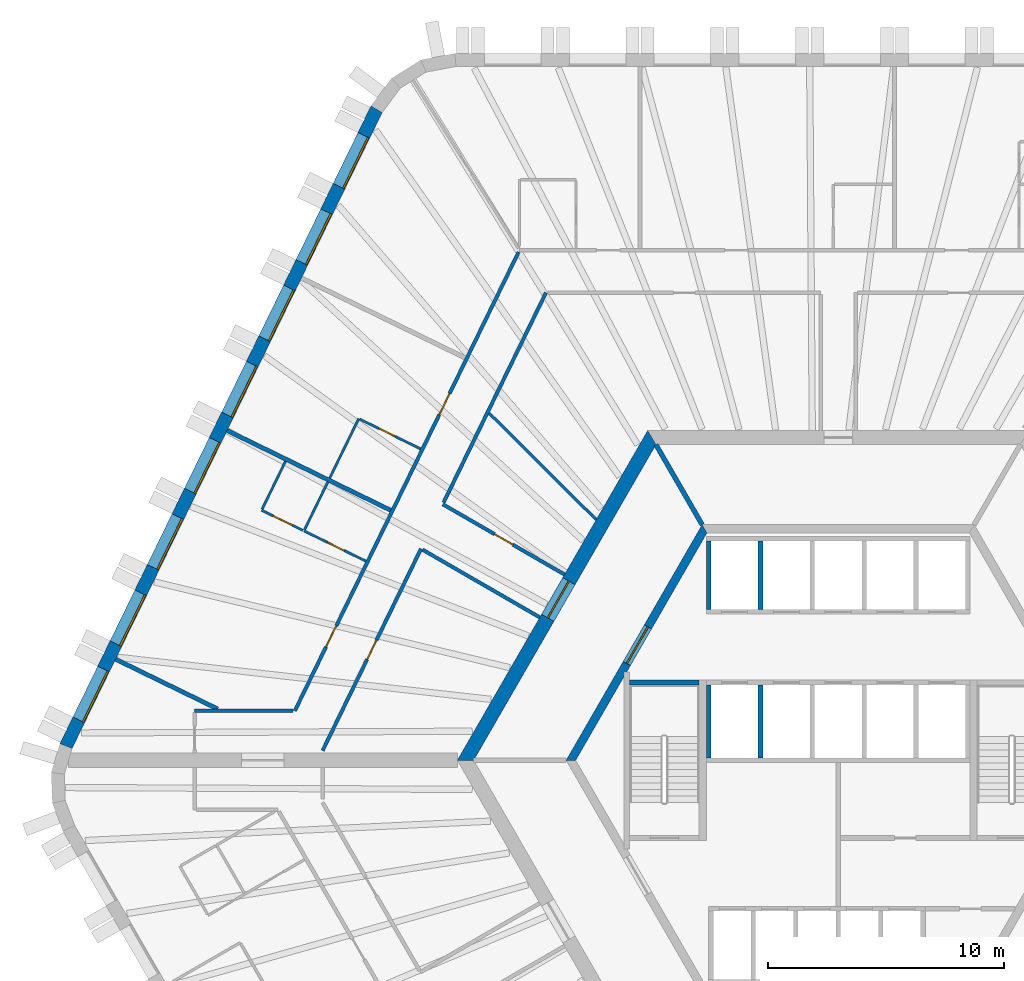
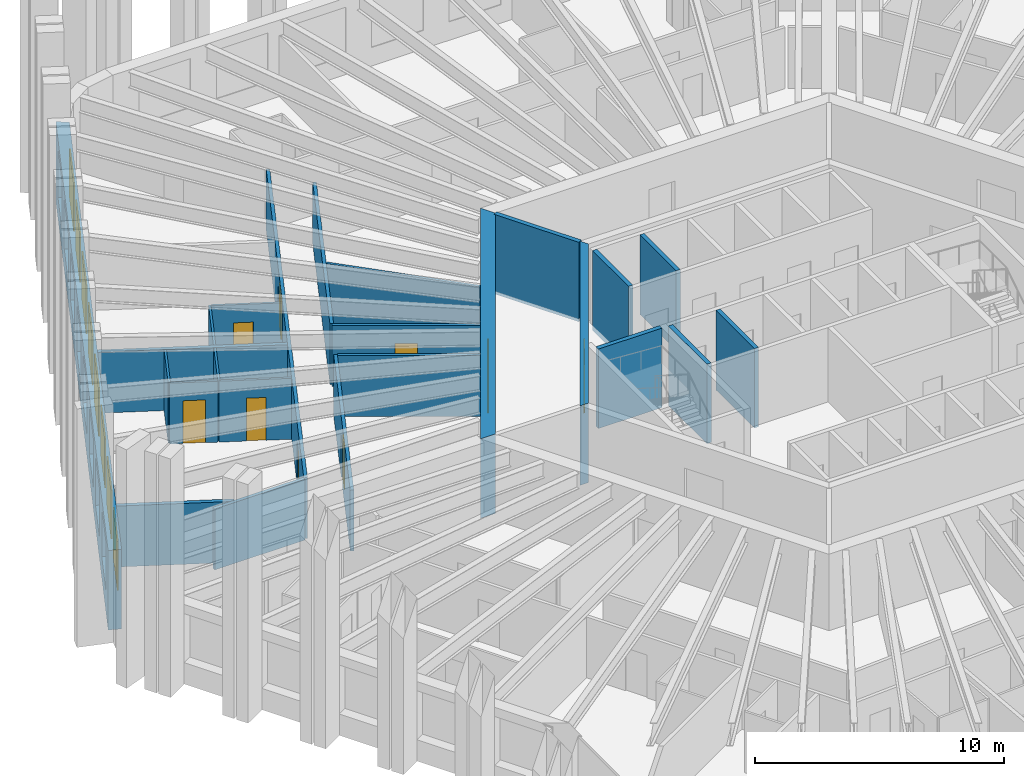
# One storey, part 7 of 13: 24 walls, 9 doors, 8 windows, 17 openings.
"""IFC4 building model written with IfcOpenShell, lengths in metres."""

import ifcopenshell
import ifcopenshell.guid

model = None  # the IFC model being written
_history = None  # IfcOwnerHistory: only IFC2X3 demands one
_inside = {}  # id of a spatial element -> (the spatial element, [elements in it])
_under = {}  # id of a project, library or spatial element -> (it, [spatial elements below it])
_declared = {}  # id of a project -> (the project, [libraries it declares])
_typed = {}  # id of a type object -> (the type object, [elements of that type])
_made_of = {}  # id of a material, layer set ... -> (it, [elements and type objects made of it])


def new_model(schema):
    """Start an empty IFC model of exactly this schema.

    Asked for "IFC4X3", IfcOpenShell would pick the latest addendum, in which some entities
    have other attributes; the version numbers below select the first issue.
    IFC2X3 requires an IfcOwnerHistory on every rooted entity: one is made here for all.
    """
    global model, _history
    if schema == "IFC4X3":
        model = ifcopenshell.file(schema_version=(4, 3, 0, 0))
    else:
        model = ifcopenshell.file(schema=schema)
    _inside.clear()
    _under.clear()
    _declared.clear()
    _typed.clear()
    _made_of.clear()
    _history = None
    if model.schema == "IFC2X3":
        org = make("IfcOrganization", Name="unknown")
        user = make(
            "IfcPersonAndOrganization",
            ThePerson=make("IfcPerson", FamilyName="unknown"),
            TheOrganization=org,
        )
        app = make(
            "IfcApplication",
            ApplicationDeveloper=org,
            Version="unknown",
            ApplicationFullName="unknown",
            ApplicationIdentifier="unknown",
        )
        _history = make(
            "IfcOwnerHistory",
            OwningUser=user,
            OwningApplication=app,
            ChangeAction="ADDED",
            CreationDate=0,
        )
    return model


def make(cls, **values):
    """One entity of the class cls with the attributes given. An attribute that is None is left unset."""
    return model.create_entity(
        cls, **{name: value for name, value in values.items() if value is not None}
    )


def rooted(cls, **values):
    """An entity with a GlobalId (a new one), such as an element, a storey or a relation."""
    return make(cls, GlobalId=ifcopenshell.guid.new(), OwnerHistory=_history, **values)


def si_unit(unit_type, name, prefix=None):
    """IfcSIUnit, for example si_unit("LENGTHUNIT", "METRE", prefix="MILLI")."""
    return make("IfcSIUnit", UnitType=unit_type, Prefix=prefix, Name=name)


def assignment(units):
    """IfcUnitAssignment: the units of a project."""
    return None if units is None else make("IfcUnitAssignment", Units=units)


def point(xyz):
    """IfcCartesianPoint."""
    return None if xyz is None else make("IfcCartesianPoint", Coordinates=xyz)


def direction(xyz):
    """IfcDirection."""
    return None if xyz is None else make("IfcDirection", DirectionRatios=xyz)


def frame(location, z_axis=None, x_axis=None):
    """IfcAxis2Placement3D, a coordinate frame: its origin and axes. An axis left out is left unset."""
    return make(
        "IfcAxis2Placement3D",
        Location=point(location),
        Axis=direction(z_axis),
        RefDirection=direction(x_axis),
    )


def frame_2d(location, x_axis=None):
    """IfcAxis2Placement2D, a coordinate frame in the plane: its origin and x axis."""
    return make(
        "IfcAxis2Placement2D", Location=point(location), RefDirection=direction(x_axis)
    )


def origin():
    """The frame at (0, 0, 0) with its axes left unset."""
    return frame((0.0, 0.0, 0.0))


def place(relative_to, where):
    """IfcLocalPlacement: puts the frame where relative to a parent placement (None: the world)."""
    return make(
        "IfcLocalPlacement", PlacementRelTo=relative_to, RelativePlacement=where
    )


def context(
    kind, dimensions, precision=None, world=None, true_north=None, identifier=None
):
    """IfcGeometricRepresentationContext, for example the 3D "Model" context."""
    return make(
        "IfcGeometricRepresentationContext",
        ContextIdentifier=identifier,
        ContextType=kind,
        CoordinateSpaceDimension=dimensions,
        Precision=precision,
        WorldCoordinateSystem=world,
        TrueNorth=true_north,
    )


def subcontext(parent, identifier, kind, view, scale=None):
    """IfcGeometricRepresentationSubContext, for example "Body" below "Model"."""
    return make(
        "IfcGeometricRepresentationSubContext",
        ContextIdentifier=identifier,
        ContextType=kind,
        ParentContext=parent,
        TargetScale=scale,
        TargetView=view,
    )


def project(units=None, contexts=None):
    """IfcProject with its units and contexts."""
    return rooted(
        "IfcProject",
        Name="project",
        RepresentationContexts=contexts,
        UnitsInContext=assignment(units),
    )


def spatial(cls, under=None, at=None, **own):
    """A site, building, storey or space (cls), placed at a placement, below another one or the project."""
    s = rooted(cls, ObjectPlacement=at, **own)
    if under is not None:
        _under.setdefault(under.id(), (under, []))[1].append(s)
    return s


def polyline(points):
    """IfcPolyline through the points."""
    return make("IfcPolyline", Points=[point(p) for p in points])


def profile(cls, at=None, kind="AREA", **sizes):
    """A parametric profile (cls). Its sizes go by their IFC names, for example OverallWidth=200.0."""
    return make(cls, ProfileType=kind, Position=at, **sizes)


def rectangle(**sizes):
    """IfcRectangleProfileDef."""
    return profile("IfcRectangleProfileDef", **sizes)


def outline(outer, holes=None, kind="AREA"):
    """IfcArbitraryClosedProfileDef: a profile drawn as a closed curve; with holes, ...WithVoids."""
    if holes is None:
        return make("IfcArbitraryClosedProfileDef", ProfileType=kind, OuterCurve=outer)
    return make(
        "IfcArbitraryProfileDefWithVoids",
        ProfileType=kind,
        OuterCurve=outer,
        InnerCurves=holes,
    )


def extrude(swept, where, along, depth):
    """IfcExtrudedAreaSolid: the profile swept, set in the frame where, extruded along a direction by depth."""
    return make(
        "IfcExtrudedAreaSolid",
        SweptArea=swept,
        Position=where,
        ExtrudedDirection=direction(along),
        Depth=depth,
    )


def shape(context_of_items, identifier, shape_type, items):
    """IfcShapeRepresentation: the items that make up one representation, for example the "Body"."""
    return make(
        "IfcShapeRepresentation",
        ContextOfItems=context_of_items,
        RepresentationIdentifier=identifier,
        RepresentationType=shape_type,
        Items=items,
    )


def material(Name=None, Category=None):
    """IfcMaterial."""
    return make("IfcMaterial", Name=Name, Category=Category)


def layer(
    of_material, thickness, ventilated=None, Name=None, Category=None, Priority=None
):
    """IfcMaterialLayer: one layer of a wall or slab, of a material (None: an air gap)."""
    return make(
        "IfcMaterialLayer",
        Material=of_material,
        LayerThickness=thickness,
        IsVentilated=ventilated,
        Name=Name,
        Category=Category,
        Priority=Priority,
    )


def layer_set(layers, Name=None):
    """IfcMaterialLayerSet."""
    return make("IfcMaterialLayerSet", MaterialLayers=layers, LayerSetName=Name)


def made_of(thing, what):
    """Note that an element or type object is made of a material, layer set ...; save() writes the relation."""
    if what is not None:
        _made_of.setdefault(what.id(), (what, []))[1].append(thing)
    return thing


def type_object(cls, material=None, **own):
    """A type object (cls), such as IfcWallType, which elements share."""
    return made_of(rooted(cls, **own), material)


def element(
    cls,
    number,
    at=None,
    inside=None,
    cuts=None,
    type_object=None,
    material=None,
    context=None,
    identifier="Body",
    shape_type=None,
    held_by="IfcProductDefinitionShape",
    body=None,
    shapes=None,
    **own,
):
    """One element of the class cls, such as IfcWall. Its Tag is "e" and its number.

    at: its placement. inside: the storey or other place that contains it. cuts: it is an
    opening in that element (IfcRelVoidsElement). A single representation is given by context,
    identifier, shape_type and body (its items); several are given by shapes. held_by: the class
    of the entity that holds the representations. save() writes the other relations.
    """
    e = rooted(cls, Tag="e%d" % number, ObjectPlacement=at, **own)
    if body is not None:
        shapes = [shape(context, identifier, shape_type, body)]
    if shapes is not None:
        e.Representation = make(held_by, Representations=shapes)
    if inside is not None:
        _inside.setdefault(inside.id(), (inside, []))[1].append(e)
    if cuts is not None:
        rooted(
            "IfcRelVoidsElement", RelatingBuildingElement=cuts, RelatedOpeningElement=e
        )
    if type_object is not None:
        _typed.setdefault(type_object.id(), (type_object, []))[1].append(e)
    return made_of(e, material)


def fill(opening, filler):
    """IfcRelFillsElement: the door or window that sits in an opening."""
    return rooted(
        "IfcRelFillsElement",
        RelatingOpeningElement=opening,
        RelatedBuildingElement=filler,
    )


def aggregate(whole, parts):
    """IfcRelAggregates: a whole, such as a stair, and the parts it consists of."""
    return rooted("IfcRelAggregates", RelatingObject=whole, RelatedObjects=parts)


def save(model, path):
    """Write the relations noted so far, then the file.

    IfcRelAggregates (storeys below a building ...), IfcRelContainedInSpatialStructure (elements
    in a storey), IfcRelDefinesByType, IfcRelAssociatesMaterial and IfcRelDeclares: one each for
    every whole, place, type object, material and project.
    """
    for whole, parts in _under.values():
        aggregate(whole, parts)
    for where, things in _inside.values():
        rooted(
            "IfcRelContainedInSpatialStructure",
            RelatedElements=things,
            RelatingStructure=where,
        )
    for kind, things in _typed.values():
        rooted("IfcRelDefinesByType", RelatedObjects=things, RelatingType=kind)
    for what, things in _made_of.values():
        rooted("IfcRelAssociatesMaterial", RelatedObjects=things, RelatingMaterial=what)
    for by, libraries in _declared.values():
        rooted("IfcRelDeclares", RelatingContext=by, RelatedDefinitions=libraries)
    model.write(path)


model = new_model("IFC4")

# Units and contexts
model_context = context("Model", 3, precision=1e-05, world=origin(), true_north=direction((0.0, 1.0)))
body_context = subcontext(model_context, "Body", "Model", "MODEL_VIEW")
ifc_project = project(units=[si_unit("LENGTHUNIT", "METRE"), si_unit("AREAUNIT", "SQUARE_METRE"), si_unit("VOLUMEUNIT", "CUBIC_METRE"), si_unit("PLANEANGLEUNIT", "RADIAN"), si_unit("MASSUNIT", "GRAM", prefix="KILO")], contexts=[model_context])

# Site, building, storey
site_placement = place(None, origin())
site = spatial("IfcSite", under=ifc_project, at=site_placement, CompositionType="ELEMENT")
building_placement = place(site_placement, origin())
building = spatial("IfcBuilding", under=site, at=building_placement, Name="Tarnside Tower", CompositionType="ELEMENT")
storey_placement = place(building_placement, frame((0.0, 0.0, 80.39990234375)))
storey = spatial("IfcBuildingStorey", under=building, at=storey_placement, Name="L17", CompositionType="ELEMENT", Elevation=80.39990234375)

# Wall
ifc_material_1 = material(Name="Gypsum board partition on steel studs", Category="steel")
ifc_layer_1 = layer(ifc_material_1, 0.10009765625)
ifc_layer_set_1 = layer_set([ifc_layer_1], Name="Bathroom wall 100")
wall_type_1 = type_object("IfcWallType", Name="Bathroom wall 100", PredefinedType="PARTITIONING", material=ifc_layer_set_1)
wall_1_placement = place(storey_placement, frame((-21.5849609375, 11.975341796875, 0.0), z_axis=(0.0, 0.0, 1.0), x_axis=(0.438399667674, 0.898780135174, 0.0)))
element("IfcWall", 1, at=wall_1_placement, inside=storey, type_object=wall_type_1, Name="Bathroom wall 05095", PredefinedType="PARTITIONING", context=body_context, shape_type="SweptSolid", body=[
    extrude(rectangle(XDim=2.81005859375, YDim=0.10009765625, at=frame_2d((1.405029296875, 0.0))), origin(), (0.0, 0.0, 1.0), 2.98779296875),
])

# Wall, opening, door
wall_2_placement = place(storey_placement, frame((-20.30810546875, 14.47900390625, 0.0), z_axis=(0.0, 0.0, 1.0), x_axis=(0.898799457159, -0.438360052708, 0.0)))
wall_2 = element("IfcWall", 2, at=wall_2_placement, inside=storey, type_object=wall_type_1, Name="Bathroom wall 05096", PredefinedType="PARTITIONING", context=body_context, shape_type="SweptSolid", body=[
    extrude(rectangle(XDim=2.875, YDim=0.10009765625, at=frame_2d((1.4375, 0.0))), origin(), (0.0, 0.0, 1.0), 2.98779296875),
])
opening_1_placement = place(wall_2_placement, frame((0.89990234375, 0.0, 0.0)))
opening_1 = element("IfcOpeningElement", 3, at=opening_1_placement, cuts=wall_2, Name="Opening D-B1", PredefinedType="OPENING", context=body_context, shape_type="SweptSolid", body=[
    extrude(rectangle(XDim=0.800048828125, YDim=2.10009765625, at=frame_2d((0.39990234375, 1.050048828125))), frame((0.0, 0.06005859375, 0.0), z_axis=(0.0, -1.0, 0.0), x_axis=(1.0, 0.0, 0.0)), (0.0, 0.0, 1.0), 0.1201171875),
])
ifc_material_2 = material(Name="Timber door leaf", Category="wood")
door_type_1 = type_object("IfcDoorType", Name="Bathroom door 800", OperationType="NOTDEFINED", PredefinedType="DOOR", material=ifc_material_2)
door_1_placement = place(opening_1_placement, origin())
door_1 = element("IfcDoor", 4, at=door_1_placement, inside=storey, type_object=door_type_1, Name="Bathroom door 05010", OperationType="SINGLE_SWING_RIGHT", OverallHeight=2.10009765625, OverallWidth=0.800048828125, PredefinedType="DOOR", context=body_context, shape_type="SweptSolid", body=[
    extrude(rectangle(XDim=0.800048828125, YDim=2.10009765625, at=frame_2d((0.39990234375, 1.050048828125))), frame((0.0, 0.02490234375, 0.0), z_axis=(0.0, -1.0, 0.0), x_axis=(1.0, 0.0, 0.0)), (0.0, 0.0, 1.0), 0.050048828125),
])
fill(opening_1, door_1)

wall_3_placement = place(storey_placement, frame((-20.04736328125, 8.455078125, 0.0), z_axis=(0.0, 0.0, 1.0), x_axis=(-0.89880694479, 0.438344699976, 0.0)))
wall_3 = element("IfcWall", 5, at=wall_3_placement, inside=storey, type_object=wall_type_1, Name="Bathroom wall 05100", PredefinedType="PARTITIONING", context=body_context, shape_type="SweptSolid", body=[
    extrude(rectangle(XDim=2.925048828125, YDim=0.10009765625, at=frame_2d((1.46240234375, 0.0))), origin(), (0.0, 0.0, 1.0), 2.98779296875),
])
opening_2_placement = place(wall_3_placement, frame((1.02490234375, 0.0, 0.0)))
opening_2 = element("IfcOpeningElement", 6, at=opening_2_placement, cuts=wall_3, Name="Opening D-B1", PredefinedType="OPENING", context=body_context, shape_type="SweptSolid", body=[
    extrude(rectangle(XDim=0.800048828125, YDim=2.10009765625, at=frame_2d((0.39990234375, 1.050048828125))), frame((0.0, 0.06005859375, 0.0), z_axis=(0.0, -1.0, 0.0), x_axis=(1.0, 0.0, 0.0)), (0.0, 0.0, 1.0), 0.1201171875),
])
door_2_placement = place(opening_2_placement, origin())
door_2 = element("IfcDoor", 7, at=door_2_placement, inside=storey, type_object=door_type_1, Name="Bathroom door 05012", OperationType="SINGLE_SWING_RIGHT", OverallHeight=2.10009765625, OverallWidth=0.800048828125, PredefinedType="DOOR", context=body_context, shape_type="SweptSolid", body=[
    extrude(rectangle(XDim=0.800048828125, YDim=2.10009765625, at=frame_2d((0.39990234375, 1.050048828125))), frame((0.0, 0.02490234375, 0.0), z_axis=(0.0, -1.0, 0.0), x_axis=(1.0, 0.0, 0.0)), (0.0, 0.0, 1.0), 0.050048828125),
])
fill(opening_2, door_2)

# Wall
wall_4_placement = place(storey_placement, frame((-21.663818359375, 11.8134765625, 0.0), z_axis=(0.0, 0.0, 1.0), x_axis=(-0.438376807268, -0.898791285477, 0.0)))
element("IfcWall", 8, at=wall_4_placement, inside=storey, type_object=wall_type_1, Name="Bathroom wall 05104", PredefinedType="PARTITIONING", context=body_context, shape_type="SweptSolid", body=[
    extrude(rectangle(XDim=2.260009765625, YDim=0.10009765625, at=frame_2d((1.1298828125, 0.0))), origin(), (0.0, 0.0, 1.0), 2.98779296875),
])

# Wall, opening, door
ifc_material_3 = material(Name="Concrete C50/60", Category="concrete")
ifc_layer_2 = layer(ifc_material_3, 0.35009765625)
ifc_layer_set_2 = layer_set([ifc_layer_2], Name="Core block wall 350 C50/60")
wall_type_2 = type_object("IfcWallType", Name="Core block wall 350 C50/60", PredefinedType="SHEAR", material=ifc_layer_set_2)
wall_5_placement = place(storey_placement, frame((-5.672607421875, 9.824951171875, -0.14990234375), z_axis=(0.0, 0.0, 1.0), x_axis=(-0.499995046907, -0.866028263435, 0.0)))
wall_5 = element("IfcWall", 9, at=wall_5_placement, inside=storey, type_object=wall_type_2, Name="L17 core block wall face 2", PredefinedType="SHEAR", context=body_context, shape_type="SweptSolid", body=[
    extrude(outline(polyline([(-0.10107421875, -0.175048828125), (11.44580078125, -0.175048828125), (11.24365234375, 0.175048828125), (0.10107421875, 0.175048828125), (-0.10107421875, -0.175048828125)])), origin(), (0.0, 0.0, 1.0), 3.89990234375),
])
opening_3_placement = place(wall_5_placement, frame((4.80126953125, 0.0, 0.14990234375)))
opening_3 = element("IfcOpeningElement", 10, at=opening_3_placement, cuts=wall_5, Name="Opening CD-LOB", PredefinedType="OPENING", context=body_context, shape_type="SweptSolid", body=[
    extrude(rectangle(XDim=1.800048828125, YDim=2.39990234375, at=frame_2d((0.89990234375, 1.199951171875))), frame((0.0, 0.18505859375, 0.0), z_axis=(0.0, -1.0, 0.0), x_axis=(1.0, 0.0, 0.0)), (0.0, 0.0, 1.0), 0.3701171875),
])
ifc_material_4 = material(Name="Steel fire door", Category="steel")
door_type_2 = type_object("IfcDoorType", Name="Lobby double door FD30S 1800x2400", OperationType="NOTDEFINED", PredefinedType="DOOR", material=ifc_material_4)
door_3_placement = place(opening_3_placement, origin())
door_3 = element("IfcDoor", 11, at=door_3_placement, inside=storey, type_object=door_type_2, Name="L17 lobby block door P1", OperationType="DOUBLE_DOOR_SINGLE_SWING", OverallHeight=2.39990234375, OverallWidth=1.800048828125, PredefinedType="DOOR", context=body_context, shape_type="SweptSolid", body=[
    extrude(rectangle(XDim=1.800048828125, YDim=2.39990234375, at=frame_2d((0.89990234375, 1.199951171875))), frame((0.0, 0.02490234375, 0.0), z_axis=(0.0, -1.0, 0.0), x_axis=(1.0, 0.0, 0.0)), (0.0, 0.0, 1.0), 0.050048828125),
])
fill(opening_3, door_3)

ifc_material_5 = material(Name="Concrete C80/95", Category="concrete")
ifc_layer_3 = layer(ifc_material_5, 0.60009765625)
ifc_layer_set_3 = layer_set([ifc_layer_3], Name="Core wall Z1 600 C80/95")
wall_type_3 = type_object("IfcWallType", Name="Core wall Z1 600 C80/95", PredefinedType="SHEAR", material=ifc_layer_set_3)
wall_6_placement = place(storey_placement, frame((-7.90966796875, 13.699951171875, -0.14990234375), z_axis=(0.0, 0.0, 1.0), x_axis=(-0.499999880136, -0.866025472988, 0.0)))
wall_6 = element("IfcWall", 12, at=wall_6_placement, inside=storey, type_object=wall_type_3, Name="L17 core wall face 2", PredefinedType="SHEAR", context=body_context, shape_type="SweptSolid", body=[
    extrude(outline(polyline([(-0.17333984375, -0.300048828125), (15.99267578125, -0.300048828125), (15.64599609375, 0.300048828125), (0.17333984375, 0.300048828125), (-0.17333984375, -0.300048828125)])), origin(), (0.0, 0.0, 1.0), 3.89990234375),
])
opening_4_placement = place(wall_6_placement, frame((7.03857421875, 0.0, 0.14990234375)))
opening_4 = element("IfcOpeningElement", 13, at=opening_4_placement, cuts=wall_6, Name="Opening CD-LOB", PredefinedType="OPENING", context=body_context, shape_type="SweptSolid", body=[
    extrude(rectangle(XDim=1.800048828125, YDim=2.39990234375, at=frame_2d((0.89990234375, 1.199951171875))), frame((0.0, 0.31005859375, 0.0), z_axis=(0.0, -1.0, 0.0), x_axis=(1.0, 0.0, 0.0)), (0.0, 0.0, 1.0), 0.6201171875),
])
door_4_placement = place(opening_4_placement, origin())
door_4 = element("IfcDoor", 14, at=door_4_placement, inside=storey, type_object=door_type_2, Name="L17 core door P1", OperationType="DOUBLE_DOOR_SINGLE_SWING", OverallHeight=2.39990234375, OverallWidth=1.800048828125, PredefinedType="DOOR", context=body_context, shape_type="SweptSolid", body=[
    extrude(rectangle(XDim=1.800048828125, YDim=2.39990234375, at=frame_2d((0.89990234375, 1.199951171875))), frame((0.0, 0.02490234375, 0.0), z_axis=(0.0, -1.0, 0.0), x_axis=(1.0, 0.0, 0.0)), (0.0, 0.0, 1.0), 0.050048828125),
])
fill(opening_4, door_4)

# Wall, openings, doors
ifc_layer_4 = layer(ifc_material_1, 0.14990234375)
ifc_layer_set_4 = layer_set([ifc_layer_4], Name="Corridor wall 150 EI 60")
wall_type_4 = type_object("IfcWallType", Name="Corridor wall 150 EI 60", PredefinedType="PARTITIONING", material=ifc_layer_set_4)
wall_7_placement = place(storey_placement, frame((-13.56494140625, 21.574951171875, 0.0), z_axis=(0.0, 0.0, 1.0), x_axis=(-0.438380787243, -0.898789344272, 0.0)))
wall_7 = element("IfcWall", 15, at=wall_7_placement, inside=storey, type_object=wall_type_4, Name="Corridor wall 05009", PredefinedType="PARTITIONING", context=body_context, shape_type="SweptSolid", body=[
    extrude(rectangle(XDim=21.66796875, YDim=0.14990234375, at=frame_2d((10.833984375, 0.0))), origin(), (0.0, 0.0, 1.0), 2.98779296875),
])
opening_5_placement = place(wall_7_placement, frame((6.683837890625, 0.0, 0.0)))
opening_5 = element("IfcOpeningElement", 16, at=opening_5_placement, cuts=wall_7, Name="Opening D-E1", PredefinedType="OPENING", context=body_context, shape_type="SweptSolid", body=[
    extrude(rectangle(XDim=1.0, YDim=2.10009765625, at=frame_2d((0.5, 1.050048828125))), frame((0.0, 0.0849609375, 0.0), z_axis=(0.0, -1.0, 0.0), x_axis=(1.0, 0.0, 0.0)), (0.0, 0.0, 1.0), 0.169921875),
])
opening_6_placement = place(wall_7_placement, frame((17.65087890625, 0.0, 0.0)))
opening_6 = element("IfcOpeningElement", 17, at=opening_6_placement, cuts=wall_7, Name="Opening D-E1", PredefinedType="OPENING", context=body_context, shape_type="SweptSolid", body=[
    extrude(rectangle(XDim=1.0, YDim=2.10009765625, at=frame_2d((0.5, 1.050048828125))), frame((0.0, 0.0849609375, 0.0), z_axis=(0.0, -1.0, 0.0), x_axis=(1.0, 0.0, 0.0)), (0.0, 0.0, 1.0), 0.169921875),
])
door_type_3 = type_object("IfcDoorType", Name="Unit entrance door 1000 FD30S", OperationType="NOTDEFINED", PredefinedType="DOOR", material=ifc_material_2)
door_5_placement = place(opening_5_placement, origin())
door_5 = element("IfcDoor", 18, at=door_5_placement, inside=storey, type_object=door_type_3, Name="Unit door 05009", OperationType="SINGLE_SWING_LEFT", OverallHeight=2.10009765625, OverallWidth=1.0, PredefinedType="DOOR", context=body_context, shape_type="SweptSolid", body=[
    extrude(rectangle(XDim=1.0, YDim=2.10009765625, at=frame_2d((0.5, 1.050048828125))), frame((0.0, 0.02490234375, 0.0), z_axis=(0.0, -1.0, 0.0), x_axis=(1.0, 0.0, 0.0)), (0.0, 0.0, 1.0), 0.050048828125),
])
fill(opening_5, door_5)
door_6_placement = place(opening_6_placement, origin())
door_6 = element("IfcDoor", 19, at=door_6_placement, inside=storey, type_object=door_type_3, Name="Unit door 05011", OperationType="SINGLE_SWING_LEFT", OverallHeight=2.10009765625, OverallWidth=1.0, PredefinedType="DOOR", context=body_context, shape_type="SweptSolid", body=[
    extrude(rectangle(XDim=1.0, YDim=2.10009765625, at=frame_2d((0.5, 1.050048828125))), frame((0.0, 0.02490234375, 0.0), z_axis=(0.0, -1.0, 0.0), x_axis=(1.0, 0.0, 0.0)), (0.0, 0.0, 1.0), 0.050048828125),
])
fill(opening_6, door_6)

# Walls
wall_8_placement = place(storey_placement, frame((-23.14697265625, 2.10009765625, 0.0), z_axis=(0.0, 0.0, 1.0), x_axis=(-1.0, 0.0, 0.0)))
element("IfcWall", 20, at=wall_8_placement, inside=storey, type_object=wall_type_4, Name="Corridor wall 05013", PredefinedType="PARTITIONING", context=body_context, shape_type="SweptSolid", body=[
    extrude(rectangle(XDim=4.17333984375, YDim=0.14990234375, at=frame_2d((2.086669921875, 0.0))), origin(), (0.0, 0.0, 1.0), 2.98779296875),
])
wall_9_placement = place(storey_placement, frame((-16.7509765625, 10.936767578125, 0.0), z_axis=(0.0, 0.0, 1.0), x_axis=(0.438378523504, 0.898790448397, 0.0)))
element("IfcWall", 21, at=wall_9_placement, inside=storey, type_object=wall_type_4, Name="Corridor wall 05017", PredefinedType="PARTITIONING", context=body_context, shape_type="SweptSolid", body=[
    extrude(rectangle(XDim=9.9169921875, YDim=0.14990234375, at=frame_2d((4.95849609375, 0.0))), origin(), (0.0, 0.0, 1.0), 2.98779296875),
])

# Wall, opening, door
wall_10_placement = place(storey_placement, frame((-11.61376953125, 7.88427734375, 0.0), z_axis=(0.0, 0.0, 1.0), x_axis=(-0.86603508376, 0.499983233416, 0.0)))
wall_10 = element("IfcWall", 22, at=wall_10_placement, inside=storey, type_object=wall_type_4, Name="Corridor wall 05020", PredefinedType="PARTITIONING", context=body_context, shape_type="SweptSolid", body=[
    extrude(rectangle(XDim=5.969970703125, YDim=0.14990234375, at=frame_2d((2.98486328125, 0.0))), origin(), (0.0, 0.0, 1.0), 2.98779296875),
])
opening_7_placement = place(wall_10_placement, frame((2.534912109375, 0.0, 0.0)))
opening_7 = element("IfcOpeningElement", 23, at=opening_7_placement, cuts=wall_10, Name="Opening D-S1", PredefinedType="OPENING", context=body_context, shape_type="SweptSolid", body=[
    extrude(rectangle(XDim=0.89990234375, YDim=2.10009765625, at=frame_2d((0.449951171875, 1.050048828125))), frame((0.0, 0.0849609375, 0.0), z_axis=(0.0, -1.0, 0.0), x_axis=(1.0, 0.0, 0.0)), (0.0, 0.0, 1.0), 0.169921875),
])
door_type_4 = type_object("IfcDoorType", Name="Service room door 900 FD30S", OperationType="NOTDEFINED", PredefinedType="DOOR", material=ifc_material_2)
door_7_placement = place(opening_7_placement, origin())
door_7 = element("IfcDoor", 24, at=door_7_placement, inside=storey, type_object=door_type_4, Name="Service door 05042", OperationType="SINGLE_SWING_RIGHT", OverallHeight=2.10009765625, OverallWidth=0.89990234375, PredefinedType="DOOR", context=body_context, shape_type="SweptSolid", body=[
    extrude(rectangle(XDim=0.89990234375, YDim=2.10009765625, at=frame_2d((0.449951171875, 1.050048828125))), frame((0.0, 0.02490234375, 0.0), z_axis=(0.0, -1.0, 0.0), x_axis=(1.0, 0.0, 0.0)), (0.0, 0.0, 1.0), 0.050048828125),
])
fill(opening_7, door_7)

wall_11_placement = place(storey_placement, frame((-21.88525390625, 0.41015625, 0.0), z_axis=(0.0, 0.0, 1.0), x_axis=(0.43837064471, 0.898794291179, 0.0)))
wall_11 = element("IfcWall", 25, at=wall_11_placement, inside=storey, type_object=wall_type_4, Name="Corridor wall 05025", PredefinedType="PARTITIONING", context=body_context, shape_type="SweptSolid", body=[
    extrude(rectangle(XDim=9.53173828125, YDim=0.14990234375, at=frame_2d((4.765869140625, 0.0))), origin(), (0.0, 0.0, 1.0), 2.98779296875),
])
opening_8_placement = place(wall_11_placement, frame((4.31591796875, 0.0, 0.0)))
opening_8 = element("IfcOpeningElement", 26, at=opening_8_placement, cuts=wall_11, Name="Opening D-S1", PredefinedType="OPENING", context=body_context, shape_type="SweptSolid", body=[
    extrude(rectangle(XDim=0.89990234375, YDim=2.10009765625, at=frame_2d((0.449951171875, 1.050048828125))), frame((0.0, 0.0849609375, 0.0), z_axis=(0.0, -1.0, 0.0), x_axis=(1.0, 0.0, 0.0)), (0.0, 0.0, 1.0), 0.169921875),
])
door_8_placement = place(opening_8_placement, origin())
door_8 = element("IfcDoor", 27, at=door_8_placement, inside=storey, type_object=door_type_4, Name="Service door 05044", OperationType="SINGLE_SWING_RIGHT", OverallHeight=2.10009765625, OverallWidth=0.89990234375, PredefinedType="DOOR", context=body_context, shape_type="SweptSolid", body=[
    extrude(rectangle(XDim=0.89990234375, YDim=2.10009765625, at=frame_2d((0.449951171875, 1.050048828125))), frame((0.0, 0.02490234375, 0.0), z_axis=(0.0, -1.0, 0.0), x_axis=(1.0, 0.0, 0.0)), (0.0, 0.0, 1.0), 0.050048828125),
])
fill(opening_8, door_8)

# Walls
wall_12_placement = place(storey_placement, frame((-17.6416015625, 8.939697265625, 0.0), z_axis=(0.0, 0.0, 1.0), x_axis=(0.866017948234, -0.500012913169, 0.0)))
element("IfcWall", 28, at=wall_12_placement, inside=storey, type_object=wall_type_4, Name="Corridor wall 05026", PredefinedType="PARTITIONING", context=body_context, shape_type="SweptSolid", body=[
    extrude(rectangle(XDim=5.747802734375, YDim=0.14990234375, at=frame_2d((2.8740234375, 0.0))), origin(), (0.0, 0.0, 1.0), 2.98779296875),
])
ifc_layer_5 = layer(ifc_material_1, 0.179931640625)
ifc_layer_set_5 = layer_set([ifc_layer_5], Name="Demising wall 180 EI 60")
wall_type_5 = type_object("IfcWallType", Name="Demising wall 180 EI 60", PredefinedType="PARTITIONING", material=ifc_layer_set_5)
wall_13_placement = place(storey_placement, frame((-25.9384765625, 13.99853515625, 0.0), z_axis=(0.0, 0.0, 1.0), x_axis=(0.898789402655, -0.438380667542, 0.0)))
element("IfcWall", 29, at=wall_13_placement, inside=storey, type_object=wall_type_5, Name="Demising wall 05097", PredefinedType="PARTITIONING", context=body_context, shape_type="SweptSolid", body=[
    extrude(rectangle(XDim=7.724853515625, YDim=0.179931640625, at=frame_2d((3.8623046875, 0.0))), origin(), (0.0, 0.0, 1.0), 2.98779296875),
])
wall_14_placement = place(storey_placement, frame((-30.673095703125, 4.29150390625, 0.0), z_axis=(0.0, 0.0, 1.0), x_axis=(0.898812662672, -0.438332975512, 0.0)))
element("IfcWall", 30, at=wall_14_placement, inside=storey, type_object=wall_type_5, Name="Demising wall 05103", PredefinedType="PARTITIONING", context=body_context, shape_type="SweptSolid", body=[
    extrude(rectangle(XDim=4.828369140625, YDim=0.179931640625, at=frame_2d((2.4140625, 0.0))), origin(), (0.0, 0.0, 1.0), 2.98779296875),
])
ifc_material_6 = material(Name="Concrete C40/50", Category="concrete")
ifc_layer_6 = layer(ifc_material_6, 0.199951171875)
ifc_layer_set_6 = layer_set([ifc_layer_6], Name="Lift shaft wall 200 C40/50")
wall_type_6 = type_object("IfcWallType", Name="Lift shaft wall 200 C40/50", PredefinedType="SHEAR", material=ifc_layer_set_6)
for number, where, z_axis, x_axis, name in (
    (31, (-5.5, 6.39990234375, -0.25), (0.0, 0.0, 1.0), (0.0, 1.0, 0.0), "L17 lift shaft partition R11"),
    (32, (-3.300048828125, 6.39990234375, -0.25), (0.0, 0.0, 1.0), (0.0, 1.0, 0.0), "L17 lift shaft partition R12"),
):
    element("IfcWall", number, at=place(storey_placement, frame(where, z_axis=z_axis, x_axis=x_axis)), inside=storey, type_object=wall_type_6, Name=name, PredefinedType="SHEAR", context=body_context, shape_type="SweptSolid", body=[
        extrude(rectangle(XDim=2.900146484375, YDim=0.199951171875, at=frame_2d((1.4501953125, 0.0))), origin(), (0.0, 0.0, 1.0), 3.900146484375),
    ])
for number, where, z_axis, x_axis, name in (
    (33, (-5.5, 0.10009765625, -0.25), (0.0, 0.0, 1.0), (0.0, 1.0, 0.0), "L17 lift shaft partition R21"),
    (34, (-3.300048828125, 0.10009765625, -0.25), (0.0, 0.0, 1.0), (0.0, 1.0, 0.0), "L17 lift shaft partition R22"),
):
    element("IfcWall", number, at=place(storey_placement, frame(where, z_axis=z_axis, x_axis=x_axis)), inside=storey, type_object=wall_type_6, Name=name, PredefinedType="SHEAR", context=body_context, shape_type="SweptSolid", body=[
        extrude(rectangle(XDim=3.099853515625, YDim=0.199951171875, at=frame_2d((1.5498046875, 0.0))), origin(), (0.0, 0.0, 1.0), 3.900146484375),
    ])
wall_15_placement = place(storey_placement, frame((-5.7734375, 10.0, -0.14990234375), z_axis=(0.0, 0.0, 1.0), x_axis=(-0.500038251005, 0.86600331843, 0.0)))
element("IfcWall", 35, at=wall_15_placement, inside=storey, type_object=wall_type_6, Name="L17 core partition AR120", PredefinedType="SHEAR", context=body_context, shape_type="SweptSolid", body=[
    extrude(rectangle(XDim=3.926025390625, YDim=0.199951171875, at=frame_2d((1.962890625, 0.0))), origin(), (0.0, 0.0, 1.0), 3.89990234375),
])
wall_16_placement = place(storey_placement, frame((-8.85009765625, 3.300048828125, -0.25), z_axis=(0.0, 0.0, 1.0), x_axis=(1.0, 0.0, 0.0)))
element("IfcWall", 36, at=wall_16_placement, inside=storey, type_object=wall_type_6, Name="L17 stair 2 enclosure cap wall n", PredefinedType="SHEAR", context=body_context, shape_type="SweptSolid", body=[
    extrude(rectangle(XDim=2.9501953125, YDim=0.199951171875, at=frame_2d((1.47509765625, 0.0))), origin(), (0.0, 0.0, 1.0), 3.900146484375),
])

# Wall, opening, door
ifc_layer_7 = layer(ifc_material_1, 0.10009765625)
ifc_layer_set_7 = layer_set([ifc_layer_7], Name="Partition 100")
wall_type_7 = type_object("IfcWallType", Name="Partition 100", PredefinedType="PARTITIONING", material=ifc_layer_set_7)
wall_17_placement = place(storey_placement, frame((-22.721435546875, 9.75927734375, 0.0), z_axis=(0.0, 0.0, 1.0), x_axis=(-0.898815368173, 0.438327427772, 0.0)))
wall_17 = element("IfcWall", 37, at=wall_17_placement, inside=storey, type_object=wall_type_7, Name="Partition wall 05101", PredefinedType="PARTITIONING", context=body_context, shape_type="SweptSolid", body=[
    extrude(rectangle(XDim=1.949951171875, YDim=0.10009765625, at=frame_2d((0.97509765625, 0.0))), origin(), (0.0, 0.0, 1.0), 2.98779296875),
])
opening_9_placement = place(wall_17_placement, frame((0.5, 0.0, 0.0)))
opening_9 = element("IfcOpeningElement", 38, at=opening_9_placement, cuts=wall_17, Name="Opening D-I1", PredefinedType="OPENING", context=body_context, shape_type="SweptSolid", body=[
    extrude(rectangle(XDim=0.89990234375, YDim=2.10009765625, at=frame_2d((0.449951171875, 1.050048828125))), frame((0.0, 0.06005859375, 0.0), z_axis=(0.0, -1.0, 0.0), x_axis=(1.0, 0.0, 0.0)), (0.0, 0.0, 1.0), 0.1201171875),
])
door_type_5 = type_object("IfcDoorType", Name="Internal door 900", OperationType="NOTDEFINED", PredefinedType="DOOR", material=ifc_material_2)
door_9_placement = place(opening_9_placement, origin())
door_9 = element("IfcDoor", 39, at=door_9_placement, inside=storey, type_object=door_type_5, Name="Internal door 05013", OperationType="SINGLE_SWING_RIGHT", OverallHeight=2.10009765625, OverallWidth=0.89990234375, PredefinedType="DOOR", context=body_context, shape_type="SweptSolid", body=[
    extrude(rectangle(XDim=0.89990234375, YDim=2.10009765625, at=frame_2d((0.449951171875, 1.050048828125))), frame((0.0, 0.02490234375, 0.0), z_axis=(0.0, -1.0, 0.0), x_axis=(1.0, 0.0, 0.0)), (0.0, 0.0, 1.0), 0.050048828125),
])
fill(opening_9, door_9)

# Walls
wall_18_placement = place(storey_placement, frame((-24.4521484375, 10.658935546875, 0.0), z_axis=(0.0, 0.0, 1.0), x_axis=(0.438376807268, 0.898791285477, 0.0)))
element("IfcWall", 40, at=wall_18_placement, inside=storey, type_object=wall_type_7, Name="Partition wall 05102", PredefinedType="PARTITIONING", context=body_context, shape_type="SweptSolid", body=[
    extrude(rectangle(XDim=2.260009765625, YDim=0.10009765625, at=frame_2d((1.1298828125, 0.0))), origin(), (0.0, 0.0, 1.0), 2.98779296875),
])
ifc_layer_8 = layer(ifc_material_1, 0.1201171875)
ifc_layer_set_8 = layer_set([ifc_layer_8], Name="Service room wall 120 EI 60")
wall_type_8 = type_object("IfcWallType", Name="Service room wall 120 EI 60", PredefinedType="PARTITIONING", material=ifc_layer_set_8)
wall_19_placement = place(storey_placement, frame((-14.8154296875, 14.73388671875, 0.0), z_axis=(0.0, 0.0, 1.0), x_axis=(0.709046184876, -0.705162043584, 0.0)))
element("IfcWall", 41, at=wall_19_placement, inside=storey, type_object=wall_type_8, Name="Service wall 05159", PredefinedType="PARTITIONING", context=body_context, shape_type="SweptSolid", body=[
    extrude(rectangle(XDim=6.411376953125, YDim=0.1201171875, at=frame_2d((3.20556640625, 0.0))), origin(), (0.0, 0.0, 1.0), 2.98779296875),
])

# Wall, openings, windows
ifc_material_7 = material(Name="Facing brick", Category="masonry")
ifc_layer_9 = layer(ifc_material_7, 0.10205078125)
ifc_material_8 = material(Name="Concrete C60/75 precast", Category="concrete")
ifc_layer_10 = layer(ifc_material_8, 0.347900390625)
ifc_material_9 = material(Name="Mineral wool insulation")
ifc_layer_11 = layer(ifc_material_9, 0.10009765625)
ifc_layer_set_9 = layer_set([ifc_layer_9, ifc_layer_10, ifc_layer_11], Name="Tube wall 550 brick faced")
wall_type_9 = type_object("IfcWallType", Name="Tube wall 550 brick faced", PredefinedType="SOLIDWALL", material=ifc_layer_set_9)
wall_20_placement = place(storey_placement, frame((-19.5947265625, 27.6328125, -0.14990234375), z_axis=(0.0, 0.0, 1.0), x_axis=(-0.438368285794, -0.898795441694, 0.0)))
wall_20 = element("IfcWall", 42, at=wall_20_placement, inside=storey, type_object=wall_type_9, Name="Tube wall L17 F2 flush 04", PredefinedType="SOLIDWALL", context=body_context, shape_type="SweptSolid", body=[
    extrude(outline(polyline([(-0.025634765625, -0.27490234375), (30.09326171875, -0.27490234375), (30.04833984375, 0.27490234375), (0.025634765625, 0.27490234375), (-0.025634765625, -0.27490234375)])), origin(), (0.0, 0.0, 1.0), 3.89990234375),
])
opening_10_placement = place(wall_20_placement, frame((1.235595703125, 0.0, 1.050048828125)))
opening_10 = element("IfcOpeningElement", 43, at=opening_10_placement, cuts=wall_20, Name="Opening WH", PredefinedType="OPENING", context=body_context, shape_type="SweptSolid", body=[
    extrude(rectangle(XDim=2.39990234375, YDim=2.39990234375, at=frame_2d((1.199951171875, 1.199951171875))), frame((0.0, 0.28515625, 0.0), z_axis=(0.0, -1.0, 0.0), x_axis=(1.0, 0.0, 0.0)), (0.0, 0.0, 1.0), 0.570068359375),
])
opening_11_placement = place(wall_20_placement, frame((4.83544921875, 0.0, 1.050048828125)))
opening_11 = element("IfcOpeningElement", 44, at=opening_11_placement, cuts=wall_20, Name="Opening WH", PredefinedType="OPENING", context=body_context, shape_type="SweptSolid", body=[
    extrude(rectangle(XDim=2.39990234375, YDim=2.39990234375, at=frame_2d((1.199951171875, 1.199951171875))), frame((0.0, 0.28515625, 0.0), z_axis=(0.0, -1.0, 0.0), x_axis=(1.0, 0.0, 0.0)), (0.0, 0.0, 1.0), 0.570068359375),
])
opening_12_placement = place(wall_20_placement, frame((8.435546875, 0.0, 1.050048828125)))
opening_12 = element("IfcOpeningElement", 45, at=opening_12_placement, cuts=wall_20, Name="Opening WH", PredefinedType="OPENING", context=body_context, shape_type="SweptSolid", body=[
    extrude(rectangle(XDim=2.39990234375, YDim=2.39990234375, at=frame_2d((1.199951171875, 1.199951171875))), frame((0.0, 0.28515625, 0.0), z_axis=(0.0, -1.0, 0.0), x_axis=(1.0, 0.0, 0.0)), (0.0, 0.0, 1.0), 0.570068359375),
])
opening_13_placement = place(wall_20_placement, frame((12.035400390625, 0.0, 1.050048828125)))
opening_13 = element("IfcOpeningElement", 46, at=opening_13_placement, cuts=wall_20, Name="Opening WH", PredefinedType="OPENING", context=body_context, shape_type="SweptSolid", body=[
    extrude(rectangle(XDim=2.39990234375, YDim=2.39990234375, at=frame_2d((1.199951171875, 1.199951171875))), frame((0.0, 0.28515625, 0.0), z_axis=(0.0, -1.0, 0.0), x_axis=(1.0, 0.0, 0.0)), (0.0, 0.0, 1.0), 0.570068359375),
])
opening_14_placement = place(wall_20_placement, frame((15.635498046875, 0.0, 1.050048828125)))
opening_14 = element("IfcOpeningElement", 47, at=opening_14_placement, cuts=wall_20, Name="Opening WH", PredefinedType="OPENING", context=body_context, shape_type="SweptSolid", body=[
    extrude(rectangle(XDim=2.39990234375, YDim=2.39990234375, at=frame_2d((1.199951171875, 1.199951171875))), frame((0.0, 0.28515625, 0.0), z_axis=(0.0, -1.0, 0.0), x_axis=(1.0, 0.0, 0.0)), (0.0, 0.0, 1.0), 0.570068359375),
])
opening_15_placement = place(wall_20_placement, frame((19.235595703125, 0.0, 1.050048828125)))
opening_15 = element("IfcOpeningElement", 48, at=opening_15_placement, cuts=wall_20, Name="Opening WH", PredefinedType="OPENING", context=body_context, shape_type="SweptSolid", body=[
    extrude(rectangle(XDim=2.39990234375, YDim=2.39990234375, at=frame_2d((1.199951171875, 1.199951171875))), frame((0.0, 0.28515625, 0.0), z_axis=(0.0, -1.0, 0.0), x_axis=(1.0, 0.0, 0.0)), (0.0, 0.0, 1.0), 0.570068359375),
])
opening_16_placement = place(wall_20_placement, frame((22.83544921875, 0.0, 1.050048828125)))
opening_16 = element("IfcOpeningElement", 49, at=opening_16_placement, cuts=wall_20, Name="Opening WH", PredefinedType="OPENING", context=body_context, shape_type="SweptSolid", body=[
    extrude(rectangle(XDim=2.39990234375, YDim=2.39990234375, at=frame_2d((1.199951171875, 1.199951171875))), frame((0.0, 0.28515625, 0.0), z_axis=(0.0, -1.0, 0.0), x_axis=(1.0, 0.0, 0.0)), (0.0, 0.0, 1.0), 0.570068359375),
])
opening_17_placement = place(wall_20_placement, frame((26.435546875, 0.0, 1.050048828125)))
opening_17 = element("IfcOpeningElement", 50, at=opening_17_placement, cuts=wall_20, Name="Opening WH", PredefinedType="OPENING", context=body_context, shape_type="SweptSolid", body=[
    extrude(rectangle(XDim=2.39990234375, YDim=2.39990234375, at=frame_2d((1.199951171875, 1.199951171875))), frame((0.0, 0.28515625, 0.0), z_axis=(0.0, -1.0, 0.0), x_axis=(1.0, 0.0, 0.0)), (0.0, 0.0, 1.0), 0.570068359375),
])
ifc_material_10 = material(Name="Aluminium-framed double glazing", Category="aluminium")
window_type = type_object("IfcWindowType", Name="Hotel window 2400 x 2400", PartitioningType="DOUBLE_PANEL_VERTICAL", PredefinedType="WINDOW", material=ifc_material_10)
window_1_placement = place(opening_10_placement, frame((0.0, 0.205078125, 0.0)))
window_1 = element("IfcWindow", 51, at=window_1_placement, inside=storey, type_object=window_type, Name="E.WN.L17.F2.00", OverallHeight=2.39990234375, OverallWidth=2.39990234375, PartitioningType="DOUBLE_PANEL_VERTICAL", PredefinedType="WINDOW", context=body_context, shape_type="SweptSolid", body=[
    extrude(rectangle(XDim=2.39990234375, YDim=2.39990234375, at=frame_2d((1.199951171875, 1.199951171875))), frame((0.0, 0.030029296875, 0.0), z_axis=(0.0, -1.0, 0.0), x_axis=(1.0, 0.0, 0.0)), (0.0, 0.0, 1.0), 0.06005859375),
])
fill(opening_10, window_1)
window_2_placement = place(opening_11_placement, frame((0.0, 0.205078125, 0.0)))
window_2 = element("IfcWindow", 52, at=window_2_placement, inside=storey, type_object=window_type, Name="E.WN.L17.F2.01", OverallHeight=2.39990234375, OverallWidth=2.39990234375, PartitioningType="DOUBLE_PANEL_VERTICAL", PredefinedType="WINDOW", context=body_context, shape_type="SweptSolid", body=[
    extrude(rectangle(XDim=2.39990234375, YDim=2.39990234375, at=frame_2d((1.199951171875, 1.199951171875))), frame((0.0, 0.030029296875, 0.0), z_axis=(0.0, -1.0, 0.0), x_axis=(1.0, 0.0, 0.0)), (0.0, 0.0, 1.0), 0.06005859375),
])
fill(opening_11, window_2)
window_3_placement = place(opening_12_placement, frame((0.0, 0.205078125, 0.0)))
window_3 = element("IfcWindow", 53, at=window_3_placement, inside=storey, type_object=window_type, Name="E.WN.L17.F2.02", OverallHeight=2.39990234375, OverallWidth=2.39990234375, PartitioningType="DOUBLE_PANEL_VERTICAL", PredefinedType="WINDOW", context=body_context, shape_type="SweptSolid", body=[
    extrude(rectangle(XDim=2.39990234375, YDim=2.39990234375, at=frame_2d((1.199951171875, 1.199951171875))), frame((0.0, 0.030029296875, 0.0), z_axis=(0.0, -1.0, 0.0), x_axis=(1.0, 0.0, 0.0)), (0.0, 0.0, 1.0), 0.06005859375),
])
fill(opening_12, window_3)
window_4_placement = place(opening_13_placement, frame((0.0, 0.205078125, 0.0)))
window_4 = element("IfcWindow", 54, at=window_4_placement, inside=storey, type_object=window_type, Name="E.WN.L17.F2.03", OverallHeight=2.39990234375, OverallWidth=2.39990234375, PartitioningType="DOUBLE_PANEL_VERTICAL", PredefinedType="WINDOW", context=body_context, shape_type="SweptSolid", body=[
    extrude(rectangle(XDim=2.39990234375, YDim=2.39990234375, at=frame_2d((1.199951171875, 1.199951171875))), frame((0.0, 0.030029296875, 0.0), z_axis=(0.0, -1.0, 0.0), x_axis=(1.0, 0.0, 0.0)), (0.0, 0.0, 1.0), 0.06005859375),
])
fill(opening_13, window_4)
window_5_placement = place(opening_14_placement, frame((0.0, 0.205078125, 0.0)))
window_5 = element("IfcWindow", 55, at=window_5_placement, inside=storey, type_object=window_type, Name="E.WN.L17.F2.04", OverallHeight=2.39990234375, OverallWidth=2.39990234375, PartitioningType="DOUBLE_PANEL_VERTICAL", PredefinedType="WINDOW", context=body_context, shape_type="SweptSolid", body=[
    extrude(rectangle(XDim=2.39990234375, YDim=2.39990234375, at=frame_2d((1.199951171875, 1.199951171875))), frame((0.0, 0.030029296875, 0.0), z_axis=(0.0, -1.0, 0.0), x_axis=(1.0, 0.0, 0.0)), (0.0, 0.0, 1.0), 0.06005859375),
])
fill(opening_14, window_5)
window_6_placement = place(opening_15_placement, frame((0.0, 0.205078125, 0.0)))
window_6 = element("IfcWindow", 56, at=window_6_placement, inside=storey, type_object=window_type, Name="E.WN.L17.F2.05", OverallHeight=2.39990234375, OverallWidth=2.39990234375, PartitioningType="DOUBLE_PANEL_VERTICAL", PredefinedType="WINDOW", context=body_context, shape_type="SweptSolid", body=[
    extrude(rectangle(XDim=2.39990234375, YDim=2.39990234375, at=frame_2d((1.199951171875, 1.199951171875))), frame((0.0, 0.030029296875, 0.0), z_axis=(0.0, -1.0, 0.0), x_axis=(1.0, 0.0, 0.0)), (0.0, 0.0, 1.0), 0.06005859375),
])
fill(opening_15, window_6)
window_7_placement = place(opening_16_placement, frame((0.0, 0.205078125, 0.0)))
window_7 = element("IfcWindow", 57, at=window_7_placement, inside=storey, type_object=window_type, Name="E.WN.L17.F2.06", OverallHeight=2.39990234375, OverallWidth=2.39990234375, PartitioningType="DOUBLE_PANEL_VERTICAL", PredefinedType="WINDOW", context=body_context, shape_type="SweptSolid", body=[
    extrude(rectangle(XDim=2.39990234375, YDim=2.39990234375, at=frame_2d((1.199951171875, 1.199951171875))), frame((0.0, 0.030029296875, 0.0), z_axis=(0.0, -1.0, 0.0), x_axis=(1.0, 0.0, 0.0)), (0.0, 0.0, 1.0), 0.06005859375),
])
fill(opening_16, window_7)
window_8_placement = place(opening_17_placement, frame((0.0, 0.205078125, 0.0)))
window_8 = element("IfcWindow", 58, at=window_8_placement, inside=storey, type_object=window_type, Name="E.WN.L17.F2.07", OverallHeight=2.39990234375, OverallWidth=2.39990234375, PartitioningType="DOUBLE_PANEL_VERTICAL", PredefinedType="WINDOW", context=body_context, shape_type="SweptSolid", body=[
    extrude(rectangle(XDim=2.39990234375, YDim=2.39990234375, at=frame_2d((1.199951171875, 1.199951171875))), frame((0.0, 0.030029296875, 0.0), z_axis=(0.0, -1.0, 0.0), x_axis=(1.0, 0.0, 0.0)), (0.0, 0.0, 1.0), 0.06005859375),
])
fill(opening_17, window_8)

save(model, "model.ifc")
